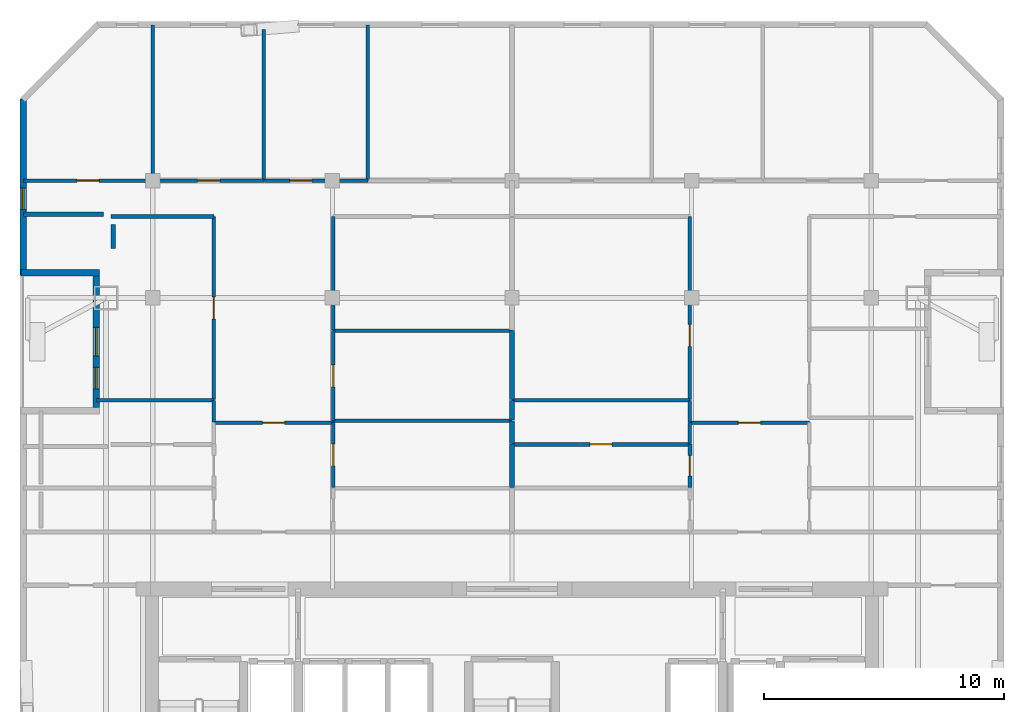
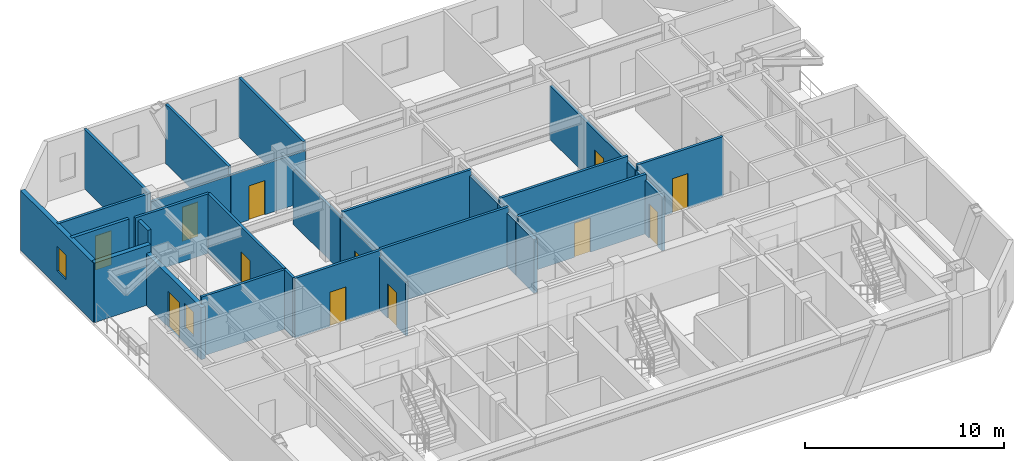
# One storey, part 4 of 7: 32 walls, 12 doors, 2 windows, 14 openings.
"""IFC4 building model written with IfcOpenShell, lengths in metres."""

from ifc_helpers import new_model, si_unit, direction, frame, frame_2d, origin, place, context, subcontext, project, spatial, rectangle, extrude, material, layer, layer_set, type_object, element, fill, save


model = new_model("IFC4")

# Units and contexts
model_context = context("Model", 3, precision=1e-05, world=origin(), true_north=direction((0.0, 1.0)))
body_context = subcontext(model_context, "Body", "Model", "MODEL_VIEW")
ifc_project = project(units=[si_unit("LENGTHUNIT", "METRE"), si_unit("AREAUNIT", "SQUARE_METRE"), si_unit("VOLUMEUNIT", "CUBIC_METRE"), si_unit("PLANEANGLEUNIT", "RADIAN"), si_unit("MASSUNIT", "GRAM", prefix="KILO")], contexts=[model_context])

# Site, building, storey
site_placement = place(None, origin())
site = spatial("IfcSite", under=ifc_project, at=site_placement, CompositionType="ELEMENT")
building_placement = place(site_placement, origin())
building = spatial("IfcBuilding", under=site, at=building_placement, Name="Ventersveld Concourse Tower", CompositionType="ELEMENT")
storey_placement = place(building_placement, frame((0.0, 0.0, 272.14990234375)))
storey = spatial("IfcBuildingStorey", under=building, at=storey_placement, Name="L67", CompositionType="ELEMENT", Elevation=272.14990234375)

# Walls
ifc_material_1 = material(Name="Fire-rated autoclaved aerated masonry blockwork", Category="masonry")
ifc_layer_1 = layer(ifc_material_1, 0.179931640625)
ifc_layer_set_1 = layer_set([ifc_layer_1], Name="Fire-rated autoclaved aerated masonry blockwork")
wall_type_1 = type_object("IfcWallType", Name="WL-CORR-180", PredefinedType="PARTITIONING", material=ifc_layer_set_1)
wall_1_placement = place(storey_placement, frame((11.69091796875, 27.090087890625, 0.0), z_axis=(0.0, 0.0, 1.0), x_axis=(-1.0, 0.0, 0.0)))
element("IfcWall", 1, at=wall_1_placement, inside=storey, type_object=wall_type_1, Name="L67 Room Enclosure Wall SP-L67-67N1-LIV", PredefinedType="PARTITIONING", context=body_context, shape_type="SweptSolid", body=[
    extrude(rectangle(XDim=3.33056640625, YDim=0.179931640625, at=frame_2d((1.665283203125, 0.0))), origin(), (0.0, 0.0, 1.0), 3.650146484375),
])
wall_2_placement = place(storey_placement, frame((12.100830078125, 25.663818359375, 0.0), z_axis=(0.0, 0.0, 1.0), x_axis=(0.0, 1.0, 0.0)))
element("IfcWall", 2, at=wall_2_placement, inside=storey, type_object=wall_type_1, Name="L67 Room Enclosure Wall SP-L67-67N1-DENL", PredefinedType="PARTITIONING", context=body_context, shape_type="SweptSolid", body=[
    extrude(rectangle(XDim=1.01123046875, YDim=0.179931640625, at=frame_2d((0.505615234375, 0.0))), origin(), (0.0, 0.0, 1.0), 3.650146484375),
])
ifc_layer_2 = layer(ifc_material_1, 0.199951171875)
ifc_layer_set_2 = layer_set([ifc_layer_2], Name="Fire-rated autoclaved aerated masonry blockwork")
wall_type_2 = type_object("IfcWallType", Name="WL-DEMISE-200", PredefinedType="PARTITIONING", material=ifc_layer_set_2)
wall_3_placement = place(storey_placement, frame((28.75, 15.695068359375, 0.0), z_axis=(0.0, 0.0, 1.0), x_axis=(0.0, 1.0, 0.0)))
element("IfcWall", 3, at=wall_3_placement, inside=storey, type_object=wall_type_2, Name="L67 Interior Partition SP-L67-67N1-MEDR1-SP-L67-67N2-PWDL2", PredefinedType="PARTITIONING", context=body_context, shape_type="SweptSolid", body=[
    extrude(rectangle(XDim=1.800048828125, YDim=0.199951171875, at=frame_2d((0.89990234375, 0.0))), origin(), (0.0, 0.0, 1.0), 3.295166015625),
])
wall_4_placement = place(storey_placement, frame((28.75, 17.52490234375, 0.0), z_axis=(0.0, 0.0, 1.0), x_axis=(0.0, 1.0, 0.0)))
element("IfcWall", 4, at=wall_4_placement, inside=storey, type_object=wall_type_2, Name="L67 Interior Partition SP-L67-67N1-MEDR1-SP-L67-67N2-PANL0", PredefinedType="PARTITIONING", context=body_context, shape_type="SweptSolid", body=[
    extrude(rectangle(XDim=0.947509765625, YDim=0.199951171875, at=frame_2d((0.4736328125, 0.0))), origin(), (0.0, 0.0, 1.0), 3.295166015625),
])
wall_5_placement = place(storey_placement, frame((28.75, 18.50244140625, 0.0), z_axis=(0.0, 0.0, 1.0), x_axis=(0.0, 1.0, 0.0)))
element("IfcWall", 5, at=wall_5_placement, inside=storey, type_object=wall_type_2, Name="L67 Interior Partition SP-L67-67N1-DENS-SP-L67-67N2-PANL0", PredefinedType="PARTITIONING", context=body_context, shape_type="SweptSolid", body=[
    extrude(rectangle(XDim=0.822509765625, YDim=0.199951171875, at=frame_2d((0.4111328125, 0.0))), origin(), (0.0, 0.0, 1.0), 3.295166015625),
])
wall_6_placement = place(storey_placement, frame((28.75, 19.35498046875, 0.0), z_axis=(0.0, 0.0, 1.0), x_axis=(0.0, 1.0, 0.0)))
element("IfcWall", 6, at=wall_6_placement, inside=storey, type_object=wall_type_2, Name="L67 Interior Partition SP-L67-67N1-DENS-SP-L67-67N2-DENL", PredefinedType="PARTITIONING", context=body_context, shape_type="SweptSolid", body=[
    extrude(rectangle(XDim=2.883056640625, YDim=0.199951171875, at=frame_2d((1.44140625, 0.0))), origin(), (0.0, 0.0, 1.0), 3.295166015625),
])

# Wall, opening, door
ifc_material_2 = material(Name="Autoclaved aerated masonry blockwork", Category="masonry")
ifc_layer_3 = layer(ifc_material_2, 0.14990234375)
ifc_layer_set_3 = layer_set([ifc_layer_3], Name="Autoclaved aerated masonry blockwork")
wall_type_3 = type_object("IfcWallType", Name="WL-INT-150", PredefinedType="PARTITIONING", material=ifc_layer_set_3)
wall_7_placement = place(storey_placement, frame((16.299072265625, 18.394775390625, 0.0), z_axis=(0.0, 0.0, 1.0), x_axis=(1.0, 0.0, 0.0)))
wall_7 = element("IfcWall", 7, at=wall_7_placement, inside=storey, type_object=wall_type_3, Name="L67 Interior Partition SP-L67-67N1-FOY-SP-L67-67N1-LIV", PredefinedType="PARTITIONING", context=body_context, shape_type="SweptSolid", body=[
    extrude(rectangle(XDim=4.989990234375, YDim=0.14990234375, at=frame_2d((2.4951171875, 0.0))), origin(), (0.0, 0.0, 1.0), 3.650146484375),
])
opening_1_placement = place(wall_7_placement, frame((2.034912109375, 0.0, 0.0)))
opening_1 = element("IfcOpeningElement", 8, at=opening_1_placement, cuts=wall_7, Name="Opening ID1", PredefinedType="OPENING", context=body_context, shape_type="SweptSolid", body=[
    extrude(rectangle(XDim=0.919921875, YDim=2.10009765625, at=frame_2d((0.4599609375, 1.050048828125))), frame((0.0, 0.0849609375, 0.0), z_axis=(0.0, -1.0, 0.0), x_axis=(1.0, 0.0, 0.0)), (0.0, 0.0, 1.0), 0.169921875),
])
ifc_material_3 = material(Name="Solid-core hardwood veneer timber", Category="wood")
door_type_1 = type_object("IfcDoorType", Name="DR-ROOM-092", OperationType="NOTDEFINED", PredefinedType="DOOR", material=ifc_material_3)
door_1_placement = place(opening_1_placement, origin())
door_1 = element("IfcDoor", 9, at=door_1_placement, inside=storey, type_object=door_type_1, Name="L67 Interior Door SP-L67-67N1-FOY to SP-L67-67N1-LIV (D-L67-3145)", OperationType="SINGLE_SWING_LEFT", OverallHeight=2.10009765625, OverallWidth=0.919921875, PredefinedType="DOOR", context=body_context, shape_type="SweptSolid", body=[
    extrude(rectangle(XDim=0.919921875, YDim=2.10009765625, at=frame_2d((0.4599609375, 1.050048828125))), frame((0.0, 0.02490234375, 0.0), z_axis=(0.0, -1.0, 0.0), x_axis=(1.0, 0.0, 0.0)), (0.0, 0.0, 1.0), 0.050048828125),
])
fill(opening_1, door_1)

wall_8_placement = place(storey_placement, frame((21.283935546875, 15.695068359375, 0.0), z_axis=(0.0, 0.0, 1.0), x_axis=(0.0, 1.0, 0.0)))
wall_8 = element("IfcWall", 10, at=wall_8_placement, inside=storey, type_object=wall_type_3, Name="L67 Interior Partition SP-L67-67N1-FOY-SP-L67-67N1-MEDR1", PredefinedType="PARTITIONING", context=body_context, shape_type="SweptSolid", body=[
    extrude(rectangle(XDim=2.704833984375, YDim=0.14990234375, at=frame_2d((1.3525390625, 0.0))), origin(), (0.0, 0.0, 1.0), 3.295166015625),
])
opening_2_placement = place(wall_8_placement, frame((0.892333984375, 0.0, 0.0)))
opening_2 = element("IfcOpeningElement", 11, at=opening_2_placement, cuts=wall_8, Name="Opening ID1", PredefinedType="OPENING", context=body_context, shape_type="SweptSolid", body=[
    extrude(rectangle(XDim=0.919921875, YDim=2.10009765625, at=frame_2d((0.4599609375, 1.050048828125))), frame((0.0, 0.0849609375, 0.0), z_axis=(0.0, -1.0, 0.0), x_axis=(1.0, 0.0, 0.0)), (0.0, 0.0, 1.0), 0.169921875),
])
door_2_placement = place(opening_2_placement, origin())
door_2 = element("IfcDoor", 12, at=door_2_placement, inside=storey, type_object=door_type_1, Name="L67 Interior Door SP-L67-67N1-FOY to SP-L67-67N1-MEDR1 (D-L67-3149)", OperationType="SINGLE_SWING_LEFT", OverallHeight=2.10009765625, OverallWidth=0.919921875, PredefinedType="DOOR", context=body_context, shape_type="SweptSolid", body=[
    extrude(rectangle(XDim=0.919921875, YDim=2.10009765625, at=frame_2d((0.4599609375, 1.050048828125))), frame((0.0, 0.02490234375, 0.0), z_axis=(0.0, -1.0, 0.0), x_axis=(1.0, 0.0, 0.0)), (0.0, 0.0, 1.0), 0.050048828125),
])
fill(opening_2, door_2)

# Wall
wall_9_placement = place(storey_placement, frame((16.303955078125, 18.4296875, 0.0), z_axis=(0.0, 0.0, 1.0), x_axis=(0.0, 1.0, 0.0)))
element("IfcWall", 13, at=wall_9_placement, inside=storey, type_object=wall_type_3, Name="L67 Interior Partition SP-L67-67N1-LIV-SP-L67-67N1-PANL0", PredefinedType="PARTITIONING", context=body_context, shape_type="SweptSolid", body=[
    extrude(rectangle(XDim=0.895263671875, YDim=0.14990234375, at=frame_2d((0.44775390625, 0.0))), origin(), (0.0, 0.0, 1.0), 3.650146484375),
])

# Wall, opening, door
wall_10_placement = place(storey_placement, frame((16.303955078125, 19.35498046875, 0.0), z_axis=(0.0, 0.0, 1.0), x_axis=(0.0, 1.0, 0.0)))
wall_10 = element("IfcWall", 14, at=wall_10_placement, inside=storey, type_object=wall_type_3, Name="L67 Interior Partition SP-L67-67N1-LIV-SP-L67-67N1-DENL", PredefinedType="PARTITIONING", context=body_context, shape_type="SweptSolid", body=[
    extrude(rectangle(XDim=7.64990234375, YDim=0.14990234375, at=frame_2d((3.824951171875, 0.0))), origin(), (0.0, 0.0, 1.0), 3.650146484375),
])
opening_3_placement = place(wall_10_placement, frame((3.364990234375, 0.0, 0.0)))
opening_3 = element("IfcOpeningElement", 15, at=opening_3_placement, cuts=wall_10, Name="Opening ID1", PredefinedType="OPENING", context=body_context, shape_type="SweptSolid", body=[
    extrude(rectangle(XDim=0.919921875, YDim=2.10009765625, at=frame_2d((0.4599609375, 1.050048828125))), frame((0.0, 0.0849609375, 0.0), z_axis=(0.0, -1.0, 0.0), x_axis=(1.0, 0.0, 0.0)), (0.0, 0.0, 1.0), 0.169921875),
])
door_3_placement = place(opening_3_placement, origin())
door_3 = element("IfcDoor", 16, at=door_3_placement, inside=storey, type_object=door_type_1, Name="L67 Interior Door SP-L67-67N1-LIV to SP-L67-67N1-DENL (D-L67-3150)", OperationType="SINGLE_SWING_RIGHT", OverallHeight=2.10009765625, OverallWidth=0.919921875, PredefinedType="DOOR", context=body_context, shape_type="SweptSolid", body=[
    extrude(rectangle(XDim=0.919921875, YDim=2.10009765625, at=frame_2d((0.4599609375, 1.050048828125))), frame((0.0, 0.02490234375, 0.0), z_axis=(0.0, -1.0, 0.0), x_axis=(1.0, 0.0, 0.0)), (0.0, 0.0, 1.0), 0.050048828125),
])
fill(opening_3, door_3)

# Wall
wall_11_placement = place(storey_placement, frame((12.005859375, 27.0, 0.0), z_axis=(0.0, 0.0, 1.0), x_axis=(1.0, 0.0, 0.0)))
element("IfcWall", 17, at=wall_11_placement, inside=storey, type_object=wall_type_3, Name="L67 Interior Partition SP-L67-67N1-LIV-SP-L67-67N1-DENL", PredefinedType="PARTITIONING", context=body_context, shape_type="SweptSolid", body=[
    extrude(rectangle(XDim=4.30322265625, YDim=0.14990234375, at=frame_2d((2.151611328125, 0.0))), origin(), (0.0, 0.0, 1.0), 3.650146484375),
])

# Wall, opening, door
wall_12_placement = place(storey_placement, frame((21.283935546875, 18.46240234375, 0.0), z_axis=(0.0, 0.0, 1.0), x_axis=(0.0, 1.0, 0.0)))
wall_12 = element("IfcWall", 18, at=wall_12_placement, inside=storey, type_object=wall_type_3, Name="L67 Interior Partition SP-L67-67N1-LIV-SP-L67-67N1-DENS", PredefinedType="PARTITIONING", context=body_context, shape_type="SweptSolid", body=[
    extrude(rectangle(XDim=3.775634765625, YDim=0.14990234375, at=frame_2d((1.8876953125, 0.0))), origin(), (0.0, 0.0, 1.0), 3.295166015625),
])
opening_4_placement = place(wall_12_placement, frame((1.427734375, 0.0, 0.0)))
opening_4 = element("IfcOpeningElement", 19, at=opening_4_placement, cuts=wall_12, Name="Opening ID1", PredefinedType="OPENING", context=body_context, shape_type="SweptSolid", body=[
    extrude(rectangle(XDim=0.919921875, YDim=2.10009765625, at=frame_2d((0.4599609375, 1.050048828125))), frame((0.0, 0.0849609375, 0.0), z_axis=(0.0, -1.0, 0.0), x_axis=(1.0, 0.0, 0.0)), (0.0, 0.0, 1.0), 0.169921875),
])
door_4_placement = place(opening_4_placement, origin())
door_4 = element("IfcDoor", 20, at=door_4_placement, inside=storey, type_object=door_type_1, Name="L67 Interior Door SP-L67-67N1-LIV to SP-L67-67N1-DENS (D-L67-3151)", OperationType="SINGLE_SWING_LEFT", OverallHeight=2.10009765625, OverallWidth=0.919921875, PredefinedType="DOOR", context=body_context, shape_type="SweptSolid", body=[
    extrude(rectangle(XDim=0.919921875, YDim=2.10009765625, at=frame_2d((0.4599609375, 1.050048828125))), frame((0.0, 0.02490234375, 0.0), z_axis=(0.0, -1.0, 0.0), x_axis=(1.0, 0.0, 0.0)), (0.0, 0.0, 1.0), 0.050048828125),
])
fill(opening_4, door_4)

# Wall
wall_13_placement = place(storey_placement, frame((21.283935546875, 22.26806640625, 0.0), z_axis=(0.0, 0.0, 1.0), x_axis=(0.0, 1.0, 0.0)))
element("IfcWall", 21, at=wall_13_placement, inside=storey, type_object=wall_type_3, Name="L67 Interior Partition SP-L67-67N1-LIV-SP-L67-67N1-DENS2", PredefinedType="PARTITIONING", context=body_context, shape_type="SweptSolid", body=[
    extrude(rectangle(XDim=4.73681640625, YDim=0.14990234375, at=frame_2d((2.368408203125, 0.0))), origin(), (0.0, 0.0, 1.0), 3.295166015625),
])

# Wall, opening, door
wall_14_placement = place(storey_placement, frame((8.3603515625, 28.5, 0.0), z_axis=(0.0, 0.0, 1.0), x_axis=(1.0, 0.0, 0.0)))
wall_14 = element("IfcWall", 22, at=wall_14_placement, inside=storey, type_object=wall_type_3, Name="L67 Interior Partition SP-L67-67N1-LIV-SP-L67-67N1-BR1", PredefinedType="PARTITIONING", context=body_context, shape_type="SweptSolid", body=[
    extrude(rectangle(XDim=5.39453125, YDim=0.14990234375, at=frame_2d((2.697265625, 0.0))), origin(), (0.0, 0.0, 1.0), 3.650146484375),
])
opening_5_placement = place(wall_14_placement, frame((2.2373046875, 0.0, 0.0)))
opening_5 = element("IfcOpeningElement", 23, at=opening_5_placement, cuts=wall_14, Name="Opening ID1", PredefinedType="OPENING", context=body_context, shape_type="SweptSolid", body=[
    extrude(rectangle(XDim=0.919921875, YDim=2.10009765625, at=frame_2d((0.4599609375, 1.050048828125))), frame((0.0, 0.0849609375, 0.0), z_axis=(0.0, -1.0, 0.0), x_axis=(1.0, 0.0, 0.0)), (0.0, 0.0, 1.0), 0.169921875),
])
door_5_placement = place(opening_5_placement, origin())
door_5 = element("IfcDoor", 24, at=door_5_placement, inside=storey, type_object=door_type_1, Name="L67 Interior Door SP-L67-67N1-LIV to SP-L67-67N1-BR1 (D-L67-3153)", OperationType="SINGLE_SWING_LEFT", OverallHeight=2.10009765625, OverallWidth=0.919921875, PredefinedType="DOOR", context=body_context, shape_type="SweptSolid", body=[
    extrude(rectangle(XDim=0.919921875, YDim=2.10009765625, at=frame_2d((0.4599609375, 1.050048828125))), frame((0.0, 0.02490234375, 0.0), z_axis=(0.0, -1.0, 0.0), x_axis=(1.0, 0.0, 0.0)), (0.0, 0.0, 1.0), 0.050048828125),
])
fill(opening_5, door_5)

wall_15_placement = place(storey_placement, frame((13.784912109375, 28.5, 0.0), z_axis=(0.0, 0.0, 1.0), x_axis=(1.0, 0.0, 0.0)))
wall_15 = element("IfcWall", 25, at=wall_15_placement, inside=storey, type_object=wall_type_3, Name="L67 Interior Partition SP-L67-67N1-LIV-SP-L67-67N1-BR2", PredefinedType="PARTITIONING", context=body_context, shape_type="SweptSolid", body=[
    extrude(rectangle(XDim=4.610107421875, YDim=0.14990234375, at=frame_2d((2.30517578125, 0.0))), origin(), (0.0, 0.0, 1.0), 3.105712890625),
])
opening_6_placement = place(wall_15_placement, frame((1.844970703125, 0.0, 0.0)))
opening_6 = element("IfcOpeningElement", 26, at=opening_6_placement, cuts=wall_15, Name="Opening ID1", PredefinedType="OPENING", context=body_context, shape_type="SweptSolid", body=[
    extrude(rectangle(XDim=0.919921875, YDim=2.10009765625, at=frame_2d((0.4599609375, 1.050048828125))), frame((0.0, 0.0849609375, 0.0), z_axis=(0.0, -1.0, 0.0), x_axis=(1.0, 0.0, 0.0)), (0.0, 0.0, 1.0), 0.169921875),
])
door_6_placement = place(opening_6_placement, origin())
door_6 = element("IfcDoor", 27, at=door_6_placement, inside=storey, type_object=door_type_1, Name="L67 Interior Door SP-L67-67N1-LIV to SP-L67-67N1-BR2 (D-L67-3154)", OperationType="SINGLE_SWING_RIGHT", OverallHeight=2.10009765625, OverallWidth=0.919921875, PredefinedType="DOOR", context=body_context, shape_type="SweptSolid", body=[
    extrude(rectangle(XDim=0.919921875, YDim=2.10009765625, at=frame_2d((0.4599609375, 1.050048828125))), frame((0.0, 0.02490234375, 0.0), z_axis=(0.0, -1.0, 0.0), x_axis=(1.0, 0.0, 0.0)), (0.0, 0.0, 1.0), 0.050048828125),
])
fill(opening_6, door_6)

wall_16_placement = place(storey_placement, frame((18.4248046875, 28.5, 0.0), z_axis=(0.0, 0.0, 1.0), x_axis=(1.0, 0.0, 0.0)))
wall_16 = element("IfcWall", 28, at=wall_16_placement, inside=storey, type_object=wall_type_3, Name="L67 Interior Partition SP-L67-67N1-LIV-SP-L67-67N1-BR3", PredefinedType="PARTITIONING", context=body_context, shape_type="SweptSolid", body=[
    extrude(rectangle(XDim=4.312744140625, YDim=0.14990234375, at=frame_2d((2.15625, 0.0))), origin(), (0.0, 0.0, 1.0), 3.105712890625),
])
opening_7_placement = place(wall_16_placement, frame((1.04931640625, 0.0, 0.0)))
opening_7 = element("IfcOpeningElement", 29, at=opening_7_placement, cuts=wall_16, Name="Opening ID1", PredefinedType="OPENING", context=body_context, shape_type="SweptSolid", body=[
    extrude(rectangle(XDim=0.919921875, YDim=2.10009765625, at=frame_2d((0.4599609375, 1.050048828125))), frame((0.0, 0.0849609375, 0.0), z_axis=(0.0, -1.0, 0.0), x_axis=(1.0, 0.0, 0.0)), (0.0, 0.0, 1.0), 0.169921875),
])
door_7_placement = place(opening_7_placement, origin())
door_7 = element("IfcDoor", 30, at=door_7_placement, inside=storey, type_object=door_type_1, Name="L67 Interior Door SP-L67-67N1-LIV to SP-L67-67N1-BR3 (D-L67-3155)", OperationType="SINGLE_SWING_LEFT", OverallHeight=2.10009765625, OverallWidth=0.919921875, PredefinedType="DOOR", context=body_context, shape_type="SweptSolid", body=[
    extrude(rectangle(XDim=0.919921875, YDim=2.10009765625, at=frame_2d((0.4599609375, 1.050048828125))), frame((0.0, 0.02490234375, 0.0), z_axis=(0.0, -1.0, 0.0), x_axis=(1.0, 0.0, 0.0)), (0.0, 0.0, 1.0), 0.050048828125),
])
fill(opening_7, door_7)

# Walls
wall_17_placement = place(storey_placement, frame((11.410400390625, 19.320068359375, 0.0), z_axis=(0.0, 0.0, 1.0), x_axis=(1.0, 0.0, 0.0)))
element("IfcWall", 31, at=wall_17_placement, inside=storey, type_object=wall_type_3, Name="L67 Interior Partition SP-L67-67N1-PANL0-SP-L67-67N1-DENL", PredefinedType="PARTITIONING", context=body_context, shape_type="SweptSolid", body=[
    extrude(rectangle(XDim=4.898681640625, YDim=0.14990234375, at=frame_2d((2.44921875, 0.0))), origin(), (0.0, 0.0, 1.0), 3.650146484375),
])
for number, where, z_axis, x_axis, name in (
    (32, (21.279052734375, 18.467529296875, 0.0), (0.0, 0.0, 1.0), (1.0, 0.0, 0.0), "L67 Interior Partition SP-L67-67N1-MEDR1-SP-L67-67N1-DENS"),
    (33, (21.279052734375, 22.233154296875, 0.0), (0.0, 0.0, 1.0), (1.0, 0.0, 0.0), "L67 Interior Partition SP-L67-67N1-DENS-SP-L67-67N1-DENS2"),
):
    element("IfcWall", number, at=place(storey_placement, frame(where, z_axis=z_axis, x_axis=x_axis)), inside=storey, type_object=wall_type_3, Name=name, PredefinedType="PARTITIONING", context=body_context, shape_type="SweptSolid", body=[
        extrude(rectangle(XDim=7.475830078125, YDim=0.14990234375, at=frame_2d((3.73779296875, 0.0))), origin(), (0.0, 0.0, 1.0), 3.650146484375),
    ])
wall_18_placement = place(storey_placement, frame((13.75, 28.4951171875, 0.0), z_axis=(0.0, 0.0, 1.0), x_axis=(0.0, 1.0, 0.0)))
element("IfcWall", 34, at=wall_18_placement, inside=storey, type_object=wall_type_3, Name="L67 Interior Partition SP-L67-67N1-BR1-SP-L67-67N1-BR2", PredefinedType="PARTITIONING", context=body_context, shape_type="SweptSolid", body=[
    extrude(rectangle(XDim=6.499267578125, YDim=0.14990234375, at=frame_2d((3.24951171875, 0.0))), origin(), (0.0, 0.0, 1.0), 3.650146484375),
])
wall_19_placement = place(storey_placement, frame((18.389892578125, 28.4951171875, 0.0), z_axis=(0.0, 0.0, 1.0), x_axis=(0.0, 1.0, 0.0)))
element("IfcWall", 35, at=wall_19_placement, inside=storey, type_object=wall_type_3, Name="L67 Interior Partition SP-L67-67N1-BR2-SP-L67-67N1-BR3", PredefinedType="PARTITIONING", context=body_context, shape_type="SweptSolid", body=[
    extrude(rectangle(XDim=6.320556640625, YDim=0.14990234375, at=frame_2d((3.16015625, 0.0))), origin(), (0.0, 0.0, 1.0), 3.650146484375),
])
wall_20_placement = place(storey_placement, frame((22.732421875, 28.4951171875, 0.0), z_axis=(0.0, 0.0, 1.0), x_axis=(0.0, 1.0, 0.0)))
element("IfcWall", 36, at=wall_20_placement, inside=storey, type_object=wall_type_3, Name="L67 Interior Partition SP-L67-67N1-BR3-SP-L67-67N1-BR4", PredefinedType="PARTITIONING", context=body_context, shape_type="SweptSolid", body=[
    extrude(rectangle(XDim=6.499267578125, YDim=0.14990234375, at=frame_2d((3.24951171875, 0.0))), origin(), (0.0, 0.0, 1.0), 3.650146484375),
])

# Wall, opening, door
wall_21_placement = place(storey_placement, frame((36.17041015625, 18.394775390625, 0.0), z_axis=(0.0, 0.0, 1.0), x_axis=(1.0, 0.0, 0.0)))
wall_21 = element("IfcWall", 37, at=wall_21_placement, inside=storey, type_object=wall_type_3, Name="L67 Interior Partition SP-L67-67N2-FOY-SP-L67-67N2-LIV", PredefinedType="PARTITIONING", context=body_context, shape_type="SweptSolid", body=[
    extrude(rectangle(XDim=4.989990234375, YDim=0.14990234375, at=frame_2d((2.4951171875, 0.0))), origin(), (0.0, 0.0, 1.0), 3.650146484375),
])
opening_8_placement = place(wall_21_placement, frame((2.034912109375, 0.0, 0.0)))
opening_8 = element("IfcOpeningElement", 38, at=opening_8_placement, cuts=wall_21, Name="Opening ID1", PredefinedType="OPENING", context=body_context, shape_type="SweptSolid", body=[
    extrude(rectangle(XDim=0.919921875, YDim=2.10009765625, at=frame_2d((0.4599609375, 1.050048828125))), frame((0.0, 0.0849609375, 0.0), z_axis=(0.0, -1.0, 0.0), x_axis=(1.0, 0.0, 0.0)), (0.0, 0.0, 1.0), 0.169921875),
])
door_8_placement = place(opening_8_placement, origin())
door_8 = element("IfcDoor", 39, at=door_8_placement, inside=storey, type_object=door_type_1, Name="L67 Interior Door SP-L67-67N2-FOY to SP-L67-67N2-LIV (D-L67-3157)", OperationType="SINGLE_SWING_LEFT", OverallHeight=2.10009765625, OverallWidth=0.919921875, PredefinedType="DOOR", context=body_context, shape_type="SweptSolid", body=[
    extrude(rectangle(XDim=0.919921875, YDim=2.10009765625, at=frame_2d((0.4599609375, 1.050048828125))), frame((0.0, 0.02490234375, 0.0), z_axis=(0.0, -1.0, 0.0), x_axis=(1.0, 0.0, 0.0)), (0.0, 0.0, 1.0), 0.050048828125),
])
fill(opening_8, door_8)

# Walls
wall_22_placement = place(storey_placement, frame((36.17529296875, 17.52490234375, 0.0), z_axis=(0.0, 0.0, 1.0), x_axis=(0.0, 1.0, 0.0)))
element("IfcWall", 40, at=wall_22_placement, inside=storey, type_object=wall_type_3, Name="L67 Interior Partition SP-L67-67N2-FOY-SP-L67-67N2-PANL0", PredefinedType="PARTITIONING", context=body_context, shape_type="SweptSolid", body=[
    extrude(rectangle(XDim=0.875, YDim=0.14990234375, at=frame_2d((0.4375, 0.0))), origin(), (0.0, 0.0, 1.0), 3.295166015625),
])
wall_23_placement = place(storey_placement, frame((36.17529296875, 18.4296875, 0.0), z_axis=(0.0, 0.0, 1.0), x_axis=(0.0, 1.0, 0.0)))
element("IfcWall", 41, at=wall_23_placement, inside=storey, type_object=wall_type_3, Name="L67 Interior Partition SP-L67-67N2-LIV-SP-L67-67N2-PANL0", PredefinedType="PARTITIONING", context=body_context, shape_type="SweptSolid", body=[
    extrude(rectangle(XDim=0.895263671875, YDim=0.14990234375, at=frame_2d((0.44775390625, 0.0))), origin(), (0.0, 0.0, 1.0), 3.295166015625),
])

# Wall, opening, door
wall_24_placement = place(storey_placement, frame((36.17529296875, 19.35498046875, 0.0), z_axis=(0.0, 0.0, 1.0), x_axis=(0.0, 1.0, 0.0)))
wall_24 = element("IfcWall", 42, at=wall_24_placement, inside=storey, type_object=wall_type_3, Name="L67 Interior Partition SP-L67-67N2-LIV-SP-L67-67N2-DENL", PredefinedType="PARTITIONING", context=body_context, shape_type="SweptSolid", body=[
    extrude(rectangle(XDim=7.64990234375, YDim=0.14990234375, at=frame_2d((3.824951171875, 0.0))), origin(), (0.0, 0.0, 1.0), 3.295166015625),
])
opening_9_placement = place(wall_24_placement, frame((2.217529296875, 0.0, 0.0)))
opening_9 = element("IfcOpeningElement", 43, at=opening_9_placement, cuts=wall_24, Name="Opening ID1", PredefinedType="OPENING", context=body_context, shape_type="SweptSolid", body=[
    extrude(rectangle(XDim=0.919921875, YDim=2.10009765625, at=frame_2d((0.4599609375, 1.050048828125))), frame((0.0, 0.0849609375, 0.0), z_axis=(0.0, -1.0, 0.0), x_axis=(1.0, 0.0, 0.0)), (0.0, 0.0, 1.0), 0.169921875),
])
door_9_placement = place(opening_9_placement, origin())
door_9 = element("IfcDoor", 44, at=door_9_placement, inside=storey, type_object=door_type_1, Name="L67 Interior Door SP-L67-67N2-LIV to SP-L67-67N2-DENL (D-L67-3162)", OperationType="SINGLE_SWING_RIGHT", OverallHeight=2.10009765625, OverallWidth=0.919921875, PredefinedType="DOOR", context=body_context, shape_type="SweptSolid", body=[
    extrude(rectangle(XDim=0.919921875, YDim=2.10009765625, at=frame_2d((0.4599609375, 1.050048828125))), frame((0.0, 0.02490234375, 0.0), z_axis=(0.0, -1.0, 0.0), x_axis=(1.0, 0.0, 0.0)), (0.0, 0.0, 1.0), 0.050048828125),
])
fill(opening_9, door_9)

# Wall
wall_25_placement = place(storey_placement, frame((28.7451171875, 19.320068359375, 0.0), z_axis=(0.0, 0.0, 1.0), x_axis=(1.0, 0.0, 0.0)))
element("IfcWall", 45, at=wall_25_placement, inside=storey, type_object=wall_type_3, Name="L67 Interior Partition SP-L67-67N2-PANL0-SP-L67-67N2-DENL", PredefinedType="PARTITIONING", context=body_context, shape_type="SweptSolid", body=[
    extrude(rectangle(XDim=7.435302734375, YDim=0.14990234375, at=frame_2d((3.7177734375, 0.0))), origin(), (0.0, 0.0, 1.0), 3.650146484375),
])

# Wall, opening, window
ifc_material_4 = material(Name="Precast concrete C45/55", Category="concrete")
ifc_layer_4 = layer(ifc_material_4, 0.260009765625)
ifc_layer_set_4 = layer_set([ifc_layer_4], Name="Precast concrete C45/55")
wall_type_4 = type_object("IfcWallType", Name="WL-PREC-260", PredefinedType="SOLIDWALL", material=ifc_layer_set_4)
wall_26_placement = place(storey_placement, frame((8.3408203125, 31.90380859375, 0.0), z_axis=(0.0, 0.0, 1.0), x_axis=(0.0, -1.0, 0.0)))
wall_26 = element("IfcWall", 46, at=wall_26_placement, inside=storey, type_object=wall_type_4, Name="L67 Highveld Precast Facade Wall E11", PredefinedType="SOLIDWALL", context=body_context, shape_type="SweptSolid", body=[
    extrude(rectangle(XDim=7.341796875, YDim=0.260009765625, at=frame_2d((3.6708984375, 0.0))), origin(), (0.0, 0.0, 1.0), 3.650146484375),
])
opening_10_placement = place(wall_26_placement, frame((3.703857421875, 0.0, 0.949951171875)))
opening_10 = element("IfcOpeningElement", 47, at=opening_10_placement, cuts=wall_26, Name="Opening W4", PredefinedType="OPENING", context=body_context, shape_type="SweptSolid", body=[
    extrude(rectangle(XDim=0.89990234375, YDim=1.5, at=frame_2d((0.449951171875, 0.75))), frame((0.0, 0.14013671875, 0.0), z_axis=(0.0, -1.0, 0.0), x_axis=(1.0, 0.0, 0.0)), (0.0, 0.0, 1.0), 0.280029296875),
])
ifc_material_5 = material(Name="Tempered acoustic Low-E IGU", Category="glass")
window_type = type_object("IfcWindowType", Name="WIN-090x150", PartitioningType="SINGLE_PANEL", PredefinedType="WINDOW", material=ifc_material_5)
window_1_placement = place(opening_10_placement, origin())
window_1 = element("IfcWindow", 48, at=window_1_placement, inside=storey, type_object=window_type, Name="L67 Punched Low-E Window W-0951", OverallHeight=1.5, OverallWidth=0.89990234375, PartitioningType="SINGLE_PANEL", PredefinedType="WINDOW", context=body_context, shape_type="SweptSolid", body=[
    extrude(rectangle(XDim=0.89990234375, YDim=1.5, at=frame_2d((0.449951171875, 0.75))), frame((0.0, 0.030029296875, 0.0), z_axis=(0.0, -1.0, 0.0), x_axis=(1.0, 0.0, 0.0)), (0.0, 0.0, 1.0), 0.06005859375),
])
fill(opening_10, window_1)

# Wall
wall_27_placement = place(storey_placement, frame((8.2509765625, 24.65185546875, 0.0), z_axis=(0.0, 0.0, 1.0), x_axis=(1.0, 0.0, 0.0)))
element("IfcWall", 49, at=wall_27_placement, inside=storey, type_object=wall_type_4, Name="L67 Highveld Precast Facade Wall E12", PredefinedType="SOLIDWALL", context=body_context, shape_type="SweptSolid", body=[
    extrude(rectangle(XDim=3.27001953125, YDim=0.260009765625, at=frame_2d((1.635009765625, 0.0))), origin(), (0.0, 0.0, 1.0), 3.650146484375),
])

# Wall, openings, door, window
wall_28_placement = place(storey_placement, frame((11.390869140625, 24.52197265625, 0.0), z_axis=(0.0, 0.0, 1.0), x_axis=(0.0, -1.0, 0.0)))
wall_28 = element("IfcWall", 50, at=wall_28_placement, inside=storey, type_object=wall_type_4, Name="L67 Highveld Precast Facade Wall E13", PredefinedType="SOLIDWALL", context=body_context, shape_type="SweptSolid", body=[
    extrude(rectangle(XDim=5.5, YDim=0.260009765625, at=frame_2d((2.75, 0.0))), origin(), (0.0, 0.0, 1.0), 3.190185546875),
])
opening_11_placement = place(wall_28_placement, frame((2.14990234375, 0.0, 0.0)))
opening_11 = element("IfcOpeningElement", 51, at=opening_11_placement, cuts=wall_28, Name="Opening TD1", PredefinedType="OPENING", context=body_context, shape_type="SweptSolid", body=[
    extrude(rectangle(XDim=1.199951171875, YDim=2.199951171875, at=frame_2d((0.60009765625, 1.10009765625))), frame((0.0, 0.14013671875, 0.0), z_axis=(0.0, -1.0, 0.0), x_axis=(1.0, 0.0, 0.0)), (0.0, 0.0, 1.0), 0.280029296875),
])
opening_12_placement = place(wall_28_placement, frame((3.820068359375, 0.0, 0.949951171875)))
opening_12 = element("IfcOpeningElement", 52, at=opening_12_placement, cuts=wall_28, Name="Opening W4", PredefinedType="OPENING", context=body_context, shape_type="SweptSolid", body=[
    extrude(rectangle(XDim=0.89990234375, YDim=1.5, at=frame_2d((0.449951171875, 0.75))), frame((0.0, 0.14013671875, 0.0), z_axis=(0.0, -1.0, 0.0), x_axis=(1.0, 0.0, 0.0)), (0.0, 0.0, 1.0), 0.280029296875),
])
ifc_material_6 = material(Name="Anodised aluminium EN AW-6063-T6", Category="aluminium")
door_type_2 = type_object("IfcDoorType", Name="DR-TERR-120", OperationType="NOTDEFINED", PredefinedType="DOOR", material=ifc_material_6)
door_10_placement = place(opening_11_placement, frame((1.199951171875, 0.0, 0.0), z_axis=(0.0, 0.0, 1.0), x_axis=(-1.0, 0.0, 0.0)))
door_10 = element("IfcDoor", 53, at=door_10_placement, inside=storey, type_object=door_type_2, Name="L67 Stepped Valley Terrace Door TD-L67-01", OperationType="SINGLE_SWING_RIGHT", OverallHeight=2.199951171875, OverallWidth=1.199951171875, PredefinedType="DOOR", context=body_context, shape_type="SweptSolid", body=[
    extrude(rectangle(XDim=1.199951171875, YDim=2.199951171875, at=frame_2d((0.60009765625, 1.10009765625))), frame((0.0, 0.02490234375, 0.0), z_axis=(0.0, -1.0, 0.0), x_axis=(1.0, 0.0, 0.0)), (0.0, 0.0, 1.0), 0.050048828125),
])
fill(opening_11, door_10)
window_2_placement = place(opening_12_placement, origin())
window_2 = element("IfcWindow", 54, at=window_2_placement, inside=storey, type_object=window_type, Name="L67 Punched Low-E Window W-0952", OverallHeight=1.5, OverallWidth=0.89990234375, PartitioningType="SINGLE_PANEL", PredefinedType="WINDOW", context=body_context, shape_type="SweptSolid", body=[
    extrude(rectangle(XDim=0.89990234375, YDim=1.5, at=frame_2d((0.449951171875, 0.75))), frame((0.0, 0.030029296875, 0.0), z_axis=(0.0, -1.0, 0.0), x_axis=(1.0, 0.0, 0.0)), (0.0, 0.0, 1.0), 0.06005859375),
])
fill(opening_12, window_2)

# Wall, opening, door
ifc_layer_5 = layer(ifc_material_2, 0.1650390625)
ifc_layer_set_5 = layer_set([ifc_layer_5], Name="Autoclaved aerated masonry blockwork")
wall_type_5 = type_object("IfcWallType", Name="WL-WET-165", PredefinedType="PLUMBINGWALL", material=ifc_layer_set_5)
wall_29_placement = place(storey_placement, frame((36.17529296875, 15.695068359375, 0.0), z_axis=(0.0, 0.0, 1.0), x_axis=(0.0, 1.0, 0.0)))
wall_29 = element("IfcWall", 55, at=wall_29_placement, inside=storey, type_object=wall_type_5, Name="L67 Interior Partition SP-L67-67N2-FOY-SP-L67-67N2-PWDL2", PredefinedType="PLUMBINGWALL", context=body_context, shape_type="SweptSolid", body=[
    extrude(rectangle(XDim=1.800048828125, YDim=0.1650390625, at=frame_2d((0.89990234375, 0.0))), origin(), (0.0, 0.0, 1.0), 3.295166015625),
])
opening_13_placement = place(wall_29_placement, frame((0.47509765625, 0.0, 0.0)))
opening_13 = element("IfcOpeningElement", 56, at=opening_13_placement, cuts=wall_29, Name="Opening ID2", PredefinedType="OPENING", context=body_context, shape_type="SweptSolid", body=[
    extrude(rectangle(XDim=0.85009765625, YDim=2.10009765625, at=frame_2d((0.425048828125, 1.050048828125))), frame((0.0, 0.092529296875, 0.0), z_axis=(0.0, -1.0, 0.0), x_axis=(1.0, 0.0, 0.0)), (0.0, 0.0, 1.0), 0.18505859375),
])
door_type_3 = type_object("IfcDoorType", Name="DR-BATH-085", OperationType="NOTDEFINED", PredefinedType="DOOR", material=ifc_material_3)
door_11_placement = place(opening_13_placement, origin())
door_11 = element("IfcDoor", 57, at=door_11_placement, inside=storey, type_object=door_type_3, Name="L67 Interior Door SP-L67-67N2-FOY to SP-L67-67N2-PWDL2 (D-L67-3159)", OperationType="SINGLE_SWING_LEFT", OverallHeight=2.10009765625, OverallWidth=0.85009765625, PredefinedType="DOOR", context=body_context, shape_type="SweptSolid", body=[
    extrude(rectangle(XDim=0.85009765625, YDim=2.10009765625, at=frame_2d((0.425048828125, 1.050048828125))), frame((0.0, 0.02490234375, 0.0), z_axis=(0.0, -1.0, 0.0), x_axis=(1.0, 0.0, 0.0)), (0.0, 0.0, 1.0), 0.050048828125),
])
fill(opening_13, door_11)

wall_30_placement = place(storey_placement, frame((28.7451171875, 17.489990234375, 0.0), z_axis=(0.0, 0.0, 1.0), x_axis=(1.0, 0.0, 0.0)))
wall_30 = element("IfcWall", 58, at=wall_30_placement, inside=storey, type_object=wall_type_5, Name="L67 Interior Partition SP-L67-67N2-PWDL2-SP-L67-67N2-PANL0", PredefinedType="PLUMBINGWALL", context=body_context, shape_type="SweptSolid", body=[
    extrude(rectangle(XDim=7.435302734375, YDim=0.1650390625, at=frame_2d((3.7177734375, 0.0))), origin(), (0.0, 0.0, 1.0), 3.650146484375),
])
opening_14_placement = place(wall_30_placement, frame((3.2578125, 0.0, 0.0)))
opening_14 = element("IfcOpeningElement", 59, at=opening_14_placement, cuts=wall_30, Name="Opening ID1", PredefinedType="OPENING", context=body_context, shape_type="SweptSolid", body=[
    extrude(rectangle(XDim=0.919921875, YDim=2.10009765625, at=frame_2d((0.4599609375, 1.050048828125))), frame((0.0, 0.092529296875, 0.0), z_axis=(0.0, -1.0, 0.0), x_axis=(1.0, 0.0, 0.0)), (0.0, 0.0, 1.0), 0.18505859375),
])
door_12_placement = place(opening_14_placement, origin())
door_12 = element("IfcDoor", 60, at=door_12_placement, inside=storey, type_object=door_type_1, Name="L67 Interior Door Flat 67N2 Beverage Tea Pantry (D-L67-3170)", OperationType="SINGLE_SWING_LEFT", OverallHeight=2.10009765625, OverallWidth=0.919921875, PredefinedType="DOOR", context=body_context, shape_type="SweptSolid", body=[
    extrude(rectangle(XDim=0.919921875, YDim=2.10009765625, at=frame_2d((0.4599609375, 1.050048828125))), frame((0.0, 0.02490234375, 0.0), z_axis=(0.0, -1.0, 0.0), x_axis=(1.0, 0.0, 0.0)), (0.0, 0.0, 1.0), 0.050048828125),
])
fill(opening_14, door_12)

save(model, "model.ifc")
